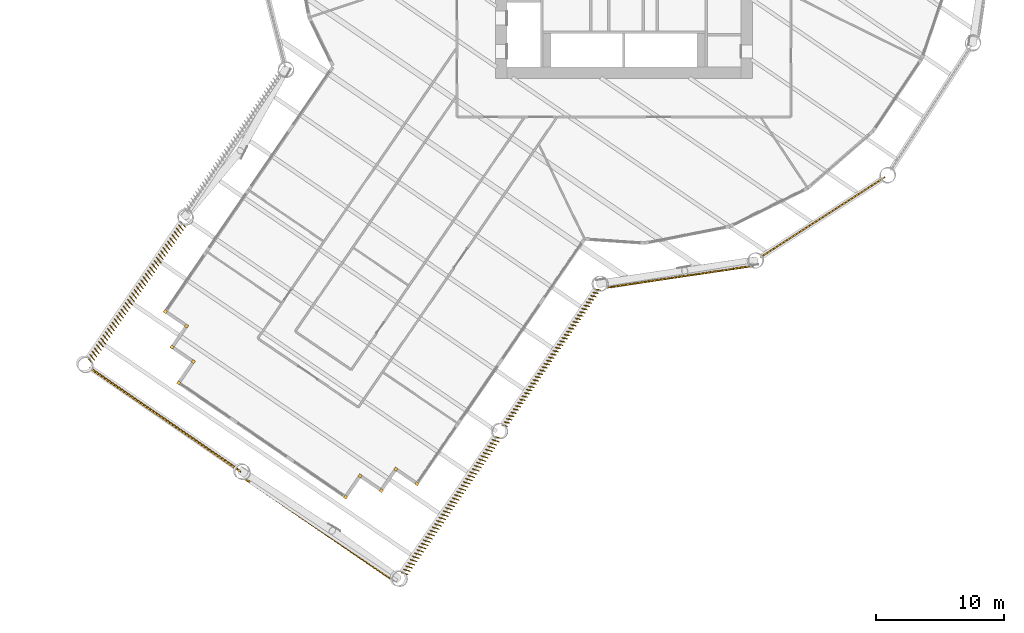
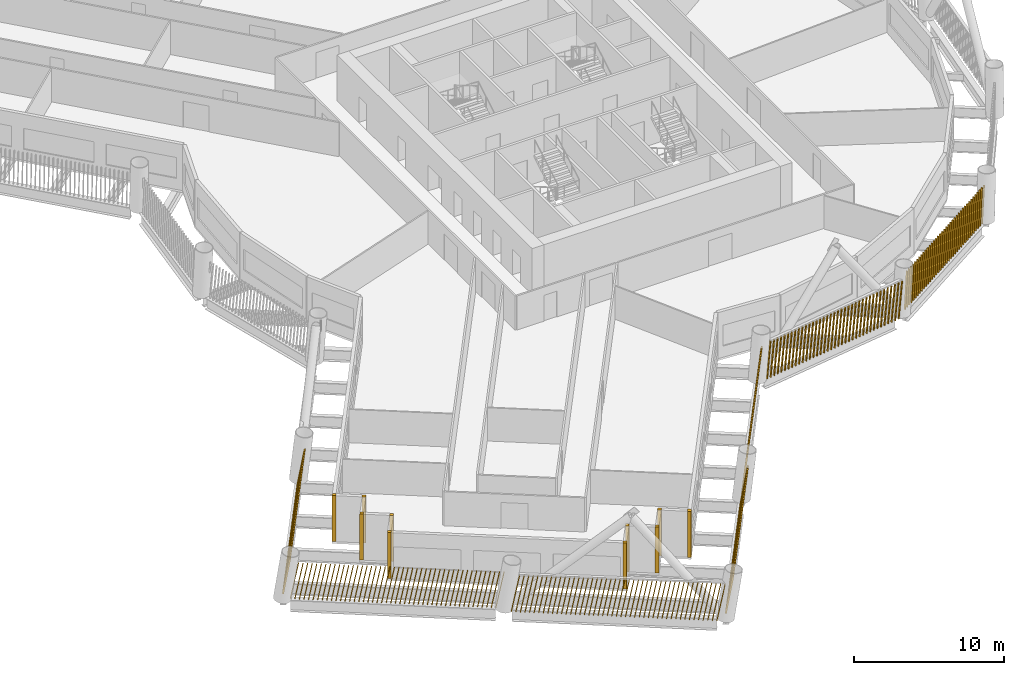
# One storey, part 18 of 22: 17 shading devices.
"""IFC4 building model written with IfcOpenShell, lengths in metres."""

from ifc_helpers import new_model, si_unit, direction, frame, frame_2d, origin, origin_2d, place, context, subcontext, project, spatial, rectangle, composite_profile, extrude, material, type_object, element, save


model = new_model("IFC4")

# Units and contexts
model_context = context("Model", 3, precision=1e-05, world=origin(), true_north=direction((0.0, 1.0)))
body_context = subcontext(model_context, "Body", "Model", "MODEL_VIEW")
ifc_project = project(units=[si_unit("LENGTHUNIT", "METRE"), si_unit("AREAUNIT", "SQUARE_METRE"), si_unit("VOLUMEUNIT", "CUBIC_METRE"), si_unit("PLANEANGLEUNIT", "RADIAN"), si_unit("MASSUNIT", "GRAM", prefix="KILO")], contexts=[model_context])

# Site, building, storey
site_placement = place(None, origin())
site = spatial("IfcSite", under=ifc_project, at=site_placement, CompositionType="ELEMENT")
building_placement = place(site_placement, origin())
building = spatial("IfcBuilding", under=site, at=building_placement, Name="Tarsis Ring Headquarters", CompositionType="ELEMENT")
storey_placement = place(building_placement, frame((0.0, 0.0, 55.60009765625)))
storey = spatial("IfcBuildingStorey", under=building, at=storey_placement, Name="L11", CompositionType="ELEMENT", Elevation=55.60009765625)

# Shading devices
ifc_material = material(Name="Terracotta baguette", Category="masonry")
shading_device_type_1 = type_object("IfcShadingDeviceType", Name="Terracotta baguette screen", PredefinedType="USERDEFINED", material=ifc_material)
shading_device_1_placement = place(storey_placement, frame((-34.47021484375, -24.14599609375, 0.0), z_axis=(0.0, 0.0, 1.0), x_axis=(-0.564959884953, -0.825121102028, 0.0)))
element("IfcShadingDevice", 1, at=shading_device_1_placement, inside=storey, type_object=shading_device_type_1, Name="Baguette screen L11-02", ObjectType="Terracotta baguette screen", PredefinedType="USERDEFINED", context=body_context, shape_type="SweptSolid", body=[
    extrude(composite_profile([rectangle(XDim=0.06005859375, YDim=0.1201171875, at=frame_2d((0.030029296875, 0.0))), rectangle(XDim=0.06005859375, YDim=0.1201171875, at=frame_2d((0.335693359375, 0.0))), rectangle(XDim=0.06005859375, YDim=0.1201171875, at=frame_2d((0.6416015625, 0.0))), rectangle(XDim=0.06005859375, YDim=0.1201171875, at=frame_2d((0.947265625, 0.0))), rectangle(XDim=0.06005859375, YDim=0.1201171875, at=frame_2d((1.253173828125, 0.0))), rectangle(XDim=0.06005859375, YDim=0.1201171875, at=frame_2d((1.558837890625, 0.0))), rectangle(XDim=0.06005859375, YDim=0.1201171875, at=frame_2d((1.864501953125, 0.0))), rectangle(XDim=0.06005859375, YDim=0.1201171875, at=frame_2d((2.17041015625, 0.0))), rectangle(XDim=0.06005859375, YDim=0.1201171875, at=frame_2d((2.47607421875, 0.0))), rectangle(XDim=0.06005859375, YDim=0.1201171875, at=frame_2d((2.781982421875, 0.0))), rectangle(XDim=0.06005859375, YDim=0.1201171875, at=frame_2d((3.087646484375, 0.0))), rectangle(XDim=0.06005859375, YDim=0.1201171875, at=frame_2d((3.393310546875, 0.0))), rectangle(XDim=0.06005859375, YDim=0.1201171875, at=frame_2d((3.69921875, 0.0))), rectangle(XDim=0.06005859375, YDim=0.1201171875, at=frame_2d((4.0048828125, 0.0))), rectangle(XDim=0.06005859375, YDim=0.1201171875, at=frame_2d((4.310791015625, 0.0))), rectangle(XDim=0.06005859375, YDim=0.1201171875, at=frame_2d((4.616455078125, 0.0))), rectangle(XDim=0.06005859375, YDim=0.1201171875, at=frame_2d((4.922119140625, 0.0))), rectangle(XDim=0.06005859375, YDim=0.1201171875, at=frame_2d((5.22802734375, 0.0))), rectangle(XDim=0.06005859375, YDim=0.1201171875, at=frame_2d((5.53369140625, 0.0))), rectangle(XDim=0.06005859375, YDim=0.1201171875, at=frame_2d((5.839599609375, 0.0))), rectangle(XDim=0.06005859375, YDim=0.1201171875, at=frame_2d((6.145263671875, 0.0))), rectangle(XDim=0.06005859375, YDim=0.1201171875, at=frame_2d((6.451171875, 0.0))), rectangle(XDim=0.06005859375, YDim=0.1201171875, at=frame_2d((6.7568359375, 0.0))), rectangle(XDim=0.06005859375, YDim=0.1201171875, at=frame_2d((7.0625, 0.0))), rectangle(XDim=0.06005859375, YDim=0.1201171875, at=frame_2d((7.368408203125, 0.0))), rectangle(XDim=0.06005859375, YDim=0.1201171875, at=frame_2d((7.674072265625, 0.0))), rectangle(XDim=0.06005859375, YDim=0.1201171875, at=frame_2d((7.97998046875, 0.0))), rectangle(XDim=0.06005859375, YDim=0.1201171875, at=frame_2d((8.28564453125, 0.0))), rectangle(XDim=0.06005859375, YDim=0.1201171875, at=frame_2d((8.59130859375, 0.0))), rectangle(XDim=0.06005859375, YDim=0.1201171875, at=frame_2d((8.897216796875, 0.0))), rectangle(XDim=0.06005859375, YDim=0.1201171875, at=frame_2d((9.202880859375, 0.0))), rectangle(XDim=0.06005859375, YDim=0.1201171875, at=frame_2d((9.5087890625, 0.0))), rectangle(XDim=0.06005859375, YDim=0.1201171875, at=frame_2d((9.814453125, 0.0))), rectangle(XDim=0.06005859375, YDim=0.1201171875, at=frame_2d((10.1201171875, 0.0))), rectangle(XDim=0.06005859375, YDim=0.1201171875, at=frame_2d((10.426025390625, 0.0))), rectangle(XDim=0.06005859375, YDim=0.1201171875, at=frame_2d((10.731689453125, 0.0))), rectangle(XDim=0.06005859375, YDim=0.1201171875, at=frame_2d((11.03759765625, 0.0))), rectangle(XDim=0.06005859375, YDim=0.1201171875, at=frame_2d((11.34326171875, 0.0))), rectangle(XDim=0.06005859375, YDim=0.1201171875, at=frame_2d((11.64892578125, 0.0))), rectangle(XDim=0.06005859375, YDim=0.1201171875, at=frame_2d((11.954833984375, 0.0))), rectangle(XDim=0.06005859375, YDim=0.1201171875, at=frame_2d((12.260498046875, 0.0))), rectangle(XDim=0.06005859375, YDim=0.1201171875, at=frame_2d((12.56640625, 0.0))), rectangle(XDim=0.06005859375, YDim=0.1201171875, at=frame_2d((12.8720703125, 0.0)))]), origin(), (0.050906202001, 0.160567619909, 0.985711214319), 2.9951171875),
])
shading_device_2_placement = place(storey_placement, frame((-41.62939453125, -35.487060546875, 0.0), z_axis=(0.0, 0.0, 1.0), x_axis=(0.82511853372, -0.564963555304, 0.0)))
element("IfcShadingDevice", 2, at=shading_device_2_placement, inside=storey, type_object=shading_device_type_1, Name="Baguette screen L11-03", ObjectType="Terracotta baguette screen", PredefinedType="USERDEFINED", context=body_context, shape_type="SweptSolid", body=[
    extrude(composite_profile([rectangle(XDim=0.06005859375, YDim=0.1201171875, at=frame_2d((0.030029296875, 0.0))), rectangle(XDim=0.06005859375, YDim=0.1201171875, at=frame_2d((0.33544921875, 0.0))), rectangle(XDim=0.06005859375, YDim=0.1201171875, at=frame_2d((0.640625, 0.0))), rectangle(XDim=0.06005859375, YDim=0.1201171875, at=frame_2d((0.946044921875, 0.0))), rectangle(XDim=0.06005859375, YDim=0.1201171875, at=frame_2d((1.25146484375, 0.0))), rectangle(XDim=0.06005859375, YDim=0.1201171875, at=frame_2d((1.556640625, 0.0))), rectangle(XDim=0.06005859375, YDim=0.1201171875, at=frame_2d((1.862060546875, 0.0))), rectangle(XDim=0.06005859375, YDim=0.1201171875, at=frame_2d((2.16748046875, 0.0))), rectangle(XDim=0.06005859375, YDim=0.1201171875, at=frame_2d((2.47265625, 0.0))), rectangle(XDim=0.06005859375, YDim=0.1201171875, at=frame_2d((2.778076171875, 0.0))), rectangle(XDim=0.06005859375, YDim=0.1201171875, at=frame_2d((3.08349609375, 0.0))), rectangle(XDim=0.06005859375, YDim=0.1201171875, at=frame_2d((3.388671875, 0.0))), rectangle(XDim=0.06005859375, YDim=0.1201171875, at=frame_2d((3.694091796875, 0.0))), rectangle(XDim=0.06005859375, YDim=0.1201171875, at=frame_2d((3.99951171875, 0.0))), rectangle(XDim=0.06005859375, YDim=0.1201171875, at=frame_2d((4.3046875, 0.0))), rectangle(XDim=0.06005859375, YDim=0.1201171875, at=frame_2d((4.610107421875, 0.0))), rectangle(XDim=0.06005859375, YDim=0.1201171875, at=frame_2d((4.91552734375, 0.0))), rectangle(XDim=0.06005859375, YDim=0.1201171875, at=frame_2d((5.220703125, 0.0))), rectangle(XDim=0.06005859375, YDim=0.1201171875, at=frame_2d((5.526123046875, 0.0))), rectangle(XDim=0.06005859375, YDim=0.1201171875, at=frame_2d((5.83154296875, 0.0))), rectangle(XDim=0.06005859375, YDim=0.1201171875, at=frame_2d((6.13671875, 0.0))), rectangle(XDim=0.06005859375, YDim=0.1201171875, at=frame_2d((6.442138671875, 0.0))), rectangle(XDim=0.06005859375, YDim=0.1201171875, at=frame_2d((6.74755859375, 0.0))), rectangle(XDim=0.06005859375, YDim=0.1201171875, at=frame_2d((7.052734375, 0.0))), rectangle(XDim=0.06005859375, YDim=0.1201171875, at=frame_2d((7.358154296875, 0.0))), rectangle(XDim=0.06005859375, YDim=0.1201171875, at=frame_2d((7.66357421875, 0.0))), rectangle(XDim=0.06005859375, YDim=0.1201171875, at=frame_2d((7.96875, 0.0))), rectangle(XDim=0.06005859375, YDim=0.1201171875, at=frame_2d((8.274169921875, 0.0))), rectangle(XDim=0.06005859375, YDim=0.1201171875, at=frame_2d((8.57958984375, 0.0))), rectangle(XDim=0.06005859375, YDim=0.1201171875, at=frame_2d((8.884765625, 0.0))), rectangle(XDim=0.06005859375, YDim=0.1201171875, at=frame_2d((9.190185546875, 0.0))), rectangle(XDim=0.06005859375, YDim=0.1201171875, at=frame_2d((9.49560546875, 0.0))), rectangle(XDim=0.06005859375, YDim=0.1201171875, at=frame_2d((9.80078125, 0.0))), rectangle(XDim=0.06005859375, YDim=0.1201171875, at=frame_2d((10.106201171875, 0.0))), rectangle(XDim=0.06005859375, YDim=0.1201171875, at=frame_2d((10.41162109375, 0.0))), rectangle(XDim=0.06005859375, YDim=0.1201171875, at=frame_2d((10.716796875, 0.0))), rectangle(XDim=0.06005859375, YDim=0.1201171875, at=frame_2d((11.022216796875, 0.0))), rectangle(XDim=0.06005859375, YDim=0.1201171875, at=frame_2d((11.32763671875, 0.0))), rectangle(XDim=0.06005859375, YDim=0.1201171875, at=frame_2d((11.6328125, 0.0))), rectangle(XDim=0.06005859375, YDim=0.1201171875, at=frame_2d((11.938232421875, 0.0))), rectangle(XDim=0.06005859375, YDim=0.1201171875, at=frame_2d((12.24365234375, 0.0))), rectangle(XDim=0.06005859375, YDim=0.1201171875, at=frame_2d((12.548828125, 0.0))), rectangle(XDim=0.06005859375, YDim=0.1201171875, at=frame_2d((12.854248046875, 0.0))), rectangle(XDim=0.06005859375, YDim=0.1201171875, at=frame_2d((13.15966796875, 0.0))), rectangle(XDim=0.06005859375, YDim=0.1201171875, at=frame_2d((13.46484375, 0.0))), rectangle(XDim=0.06005859375, YDim=0.1201171875, at=frame_2d((13.770263671875, 0.0)))]), origin(), (0.18414920172, -0.024827562857, 0.98258468522), 3.004638671875),
])
shading_device_3_placement = place(storey_placement, frame((-29.629638671875, -44.157958984375, 0.0), z_axis=(0.0, 0.0, 1.0), x_axis=(0.825121627598, -0.564953560372, 0.0)))
element("IfcShadingDevice", 3, at=shading_device_3_placement, inside=storey, type_object=shading_device_type_1, Name="Baguette screen L11-04", ObjectType="Terracotta baguette screen", PredefinedType="USERDEFINED", context=body_context, shape_type="SweptSolid", body=[
    extrude(composite_profile([rectangle(XDim=0.06005859375, YDim=0.1201171875, at=frame_2d((0.030029296875, 0.0))), rectangle(XDim=0.06005859375, YDim=0.1201171875, at=frame_2d((0.33544921875, 0.0))), rectangle(XDim=0.06005859375, YDim=0.1201171875, at=frame_2d((0.640625, 0.0))), rectangle(XDim=0.06005859375, YDim=0.1201171875, at=frame_2d((0.946044921875, 0.0))), rectangle(XDim=0.06005859375, YDim=0.1201171875, at=frame_2d((1.25146484375, 0.0))), rectangle(XDim=0.06005859375, YDim=0.1201171875, at=frame_2d((1.556640625, 0.0))), rectangle(XDim=0.06005859375, YDim=0.1201171875, at=frame_2d((1.862060546875, 0.0))), rectangle(XDim=0.06005859375, YDim=0.1201171875, at=frame_2d((2.16748046875, 0.0))), rectangle(XDim=0.06005859375, YDim=0.1201171875, at=frame_2d((2.47265625, 0.0))), rectangle(XDim=0.06005859375, YDim=0.1201171875, at=frame_2d((2.778076171875, 0.0))), rectangle(XDim=0.06005859375, YDim=0.1201171875, at=frame_2d((3.08349609375, 0.0))), rectangle(XDim=0.06005859375, YDim=0.1201171875, at=frame_2d((3.388671875, 0.0))), rectangle(XDim=0.06005859375, YDim=0.1201171875, at=frame_2d((3.694091796875, 0.0))), rectangle(XDim=0.06005859375, YDim=0.1201171875, at=frame_2d((3.99951171875, 0.0))), rectangle(XDim=0.06005859375, YDim=0.1201171875, at=frame_2d((4.3046875, 0.0))), rectangle(XDim=0.06005859375, YDim=0.1201171875, at=frame_2d((4.610107421875, 0.0))), rectangle(XDim=0.06005859375, YDim=0.1201171875, at=frame_2d((4.91552734375, 0.0))), rectangle(XDim=0.06005859375, YDim=0.1201171875, at=frame_2d((5.220703125, 0.0))), rectangle(XDim=0.06005859375, YDim=0.1201171875, at=frame_2d((5.526123046875, 0.0))), rectangle(XDim=0.06005859375, YDim=0.1201171875, at=frame_2d((5.83154296875, 0.0))), rectangle(XDim=0.06005859375, YDim=0.1201171875, at=frame_2d((6.13671875, 0.0))), rectangle(XDim=0.06005859375, YDim=0.1201171875, at=frame_2d((6.442138671875, 0.0))), rectangle(XDim=0.06005859375, YDim=0.1201171875, at=frame_2d((6.74755859375, 0.0))), rectangle(XDim=0.06005859375, YDim=0.1201171875, at=frame_2d((7.052734375, 0.0))), rectangle(XDim=0.06005859375, YDim=0.1201171875, at=frame_2d((7.358154296875, 0.0))), rectangle(XDim=0.06005859375, YDim=0.1201171875, at=frame_2d((7.66357421875, 0.0))), rectangle(XDim=0.06005859375, YDim=0.1201171875, at=frame_2d((7.96875, 0.0))), rectangle(XDim=0.06005859375, YDim=0.1201171875, at=frame_2d((8.274169921875, 0.0))), rectangle(XDim=0.06005859375, YDim=0.1201171875, at=frame_2d((8.57958984375, 0.0))), rectangle(XDim=0.06005859375, YDim=0.1201171875, at=frame_2d((8.884765625, 0.0))), rectangle(XDim=0.06005859375, YDim=0.1201171875, at=frame_2d((9.190185546875, 0.0))), rectangle(XDim=0.06005859375, YDim=0.1201171875, at=frame_2d((9.49560546875, 0.0))), rectangle(XDim=0.06005859375, YDim=0.1201171875, at=frame_2d((9.80078125, 0.0))), rectangle(XDim=0.06005859375, YDim=0.1201171875, at=frame_2d((10.106201171875, 0.0))), rectangle(XDim=0.06005859375, YDim=0.1201171875, at=frame_2d((10.41162109375, 0.0))), rectangle(XDim=0.06005859375, YDim=0.1201171875, at=frame_2d((10.716796875, 0.0))), rectangle(XDim=0.06005859375, YDim=0.1201171875, at=frame_2d((11.022216796875, 0.0))), rectangle(XDim=0.06005859375, YDim=0.1201171875, at=frame_2d((11.32763671875, 0.0))), rectangle(XDim=0.06005859375, YDim=0.1201171875, at=frame_2d((11.6328125, 0.0))), rectangle(XDim=0.06005859375, YDim=0.1201171875, at=frame_2d((11.938232421875, 0.0))), rectangle(XDim=0.06005859375, YDim=0.1201171875, at=frame_2d((12.24365234375, 0.0))), rectangle(XDim=0.06005859375, YDim=0.1201171875, at=frame_2d((12.548828125, 0.0))), rectangle(XDim=0.06005859375, YDim=0.1201171875, at=frame_2d((12.854248046875, 0.0))), rectangle(XDim=0.06005859375, YDim=0.1201171875, at=frame_2d((13.15966796875, 0.0))), rectangle(XDim=0.06005859375, YDim=0.1201171875, at=frame_2d((13.46484375, 0.0))), rectangle(XDim=0.06005859375, YDim=0.1201171875, at=frame_2d((13.770263671875, 0.0)))]), origin(), (0.185141144662, 0.026750908002, 0.982347772163), 3.00537109375),
])
shading_device_4_placement = place(storey_placement, frame((-17.336181640625, -51.514892578125, 0.0), z_axis=(0.0, 0.0, 1.0), x_axis=(0.564970575435, 0.825117792874, 0.0)))
element("IfcShadingDevice", 4, at=shading_device_4_placement, inside=storey, type_object=shading_device_type_1, Name="Baguette screen L11-05", ObjectType="Terracotta baguette screen", PredefinedType="USERDEFINED", context=body_context, shape_type="SweptSolid", body=[
    extrude(composite_profile([rectangle(XDim=0.06005859375, YDim=0.1201171875, at=frame_2d((0.030029296875, 0.0))), rectangle(XDim=0.06005859375, YDim=0.1201171875, at=frame_2d((0.335693359375, 0.0))), rectangle(XDim=0.06005859375, YDim=0.1201171875, at=frame_2d((0.6416015625, 0.0))), rectangle(XDim=0.06005859375, YDim=0.1201171875, at=frame_2d((0.947265625, 0.0))), rectangle(XDim=0.06005859375, YDim=0.1201171875, at=frame_2d((1.253173828125, 0.0))), rectangle(XDim=0.06005859375, YDim=0.1201171875, at=frame_2d((1.558837890625, 0.0))), rectangle(XDim=0.06005859375, YDim=0.1201171875, at=frame_2d((1.864501953125, 0.0))), rectangle(XDim=0.06005859375, YDim=0.1201171875, at=frame_2d((2.17041015625, 0.0))), rectangle(XDim=0.06005859375, YDim=0.1201171875, at=frame_2d((2.47607421875, 0.0))), rectangle(XDim=0.06005859375, YDim=0.1201171875, at=frame_2d((2.781982421875, 0.0))), rectangle(XDim=0.06005859375, YDim=0.1201171875, at=frame_2d((3.087646484375, 0.0))), rectangle(XDim=0.06005859375, YDim=0.1201171875, at=frame_2d((3.393310546875, 0.0))), rectangle(XDim=0.06005859375, YDim=0.1201171875, at=frame_2d((3.69921875, 0.0))), rectangle(XDim=0.06005859375, YDim=0.1201171875, at=frame_2d((4.0048828125, 0.0))), rectangle(XDim=0.06005859375, YDim=0.1201171875, at=frame_2d((4.310791015625, 0.0))), rectangle(XDim=0.06005859375, YDim=0.1201171875, at=frame_2d((4.616455078125, 0.0))), rectangle(XDim=0.06005859375, YDim=0.1201171875, at=frame_2d((4.922119140625, 0.0))), rectangle(XDim=0.06005859375, YDim=0.1201171875, at=frame_2d((5.22802734375, 0.0))), rectangle(XDim=0.06005859375, YDim=0.1201171875, at=frame_2d((5.53369140625, 0.0))), rectangle(XDim=0.06005859375, YDim=0.1201171875, at=frame_2d((5.839599609375, 0.0))), rectangle(XDim=0.06005859375, YDim=0.1201171875, at=frame_2d((6.145263671875, 0.0))), rectangle(XDim=0.06005859375, YDim=0.1201171875, at=frame_2d((6.451171875, 0.0))), rectangle(XDim=0.06005859375, YDim=0.1201171875, at=frame_2d((6.7568359375, 0.0))), rectangle(XDim=0.06005859375, YDim=0.1201171875, at=frame_2d((7.0625, 0.0))), rectangle(XDim=0.06005859375, YDim=0.1201171875, at=frame_2d((7.368408203125, 0.0))), rectangle(XDim=0.06005859375, YDim=0.1201171875, at=frame_2d((7.674072265625, 0.0))), rectangle(XDim=0.06005859375, YDim=0.1201171875, at=frame_2d((7.97998046875, 0.0))), rectangle(XDim=0.06005859375, YDim=0.1201171875, at=frame_2d((8.28564453125, 0.0))), rectangle(XDim=0.06005859375, YDim=0.1201171875, at=frame_2d((8.59130859375, 0.0))), rectangle(XDim=0.06005859375, YDim=0.1201171875, at=frame_2d((8.897216796875, 0.0))), rectangle(XDim=0.06005859375, YDim=0.1201171875, at=frame_2d((9.202880859375, 0.0))), rectangle(XDim=0.06005859375, YDim=0.1201171875, at=frame_2d((9.5087890625, 0.0))), rectangle(XDim=0.06005859375, YDim=0.1201171875, at=frame_2d((9.814453125, 0.0))), rectangle(XDim=0.06005859375, YDim=0.1201171875, at=frame_2d((10.1201171875, 0.0))), rectangle(XDim=0.06005859375, YDim=0.1201171875, at=frame_2d((10.426025390625, 0.0))), rectangle(XDim=0.06005859375, YDim=0.1201171875, at=frame_2d((10.731689453125, 0.0))), rectangle(XDim=0.06005859375, YDim=0.1201171875, at=frame_2d((11.03759765625, 0.0))), rectangle(XDim=0.06005859375, YDim=0.1201171875, at=frame_2d((11.34326171875, 0.0))), rectangle(XDim=0.06005859375, YDim=0.1201171875, at=frame_2d((11.64892578125, 0.0))), rectangle(XDim=0.06005859375, YDim=0.1201171875, at=frame_2d((11.954833984375, 0.0))), rectangle(XDim=0.06005859375, YDim=0.1201171875, at=frame_2d((12.260498046875, 0.0))), rectangle(XDim=0.06005859375, YDim=0.1201171875, at=frame_2d((12.56640625, 0.0))), rectangle(XDim=0.06005859375, YDim=0.1201171875, at=frame_2d((12.8720703125, 0.0)))]), origin(), (0.052583739069, -0.160026657637, 0.985711123621), 2.9951171875),
])
shading_device_5_placement = place(storey_placement, frame((-9.481689453125, -40.0439453125, 0.0), z_axis=(0.0, 0.0, 1.0), x_axis=(0.564970575435, 0.825117792874, 0.0)))
element("IfcShadingDevice", 5, at=shading_device_5_placement, inside=storey, type_object=shading_device_type_1, Name="Baguette screen L11-06", ObjectType="Terracotta baguette screen", PredefinedType="USERDEFINED", context=body_context, shape_type="SweptSolid", body=[
    extrude(composite_profile([rectangle(XDim=0.06005859375, YDim=0.1201171875, at=frame_2d((0.030029296875, 0.0))), rectangle(XDim=0.06005859375, YDim=0.1201171875, at=frame_2d((0.335693359375, 0.0))), rectangle(XDim=0.06005859375, YDim=0.1201171875, at=frame_2d((0.6416015625, 0.0))), rectangle(XDim=0.06005859375, YDim=0.1201171875, at=frame_2d((0.947265625, 0.0))), rectangle(XDim=0.06005859375, YDim=0.1201171875, at=frame_2d((1.253173828125, 0.0))), rectangle(XDim=0.06005859375, YDim=0.1201171875, at=frame_2d((1.558837890625, 0.0))), rectangle(XDim=0.06005859375, YDim=0.1201171875, at=frame_2d((1.864501953125, 0.0))), rectangle(XDim=0.06005859375, YDim=0.1201171875, at=frame_2d((2.17041015625, 0.0))), rectangle(XDim=0.06005859375, YDim=0.1201171875, at=frame_2d((2.47607421875, 0.0))), rectangle(XDim=0.06005859375, YDim=0.1201171875, at=frame_2d((2.781982421875, 0.0))), rectangle(XDim=0.06005859375, YDim=0.1201171875, at=frame_2d((3.087646484375, 0.0))), rectangle(XDim=0.06005859375, YDim=0.1201171875, at=frame_2d((3.393310546875, 0.0))), rectangle(XDim=0.06005859375, YDim=0.1201171875, at=frame_2d((3.69921875, 0.0))), rectangle(XDim=0.06005859375, YDim=0.1201171875, at=frame_2d((4.0048828125, 0.0))), rectangle(XDim=0.06005859375, YDim=0.1201171875, at=frame_2d((4.310791015625, 0.0))), rectangle(XDim=0.06005859375, YDim=0.1201171875, at=frame_2d((4.616455078125, 0.0))), rectangle(XDim=0.06005859375, YDim=0.1201171875, at=frame_2d((4.922119140625, 0.0))), rectangle(XDim=0.06005859375, YDim=0.1201171875, at=frame_2d((5.22802734375, 0.0))), rectangle(XDim=0.06005859375, YDim=0.1201171875, at=frame_2d((5.53369140625, 0.0))), rectangle(XDim=0.06005859375, YDim=0.1201171875, at=frame_2d((5.839599609375, 0.0))), rectangle(XDim=0.06005859375, YDim=0.1201171875, at=frame_2d((6.145263671875, 0.0))), rectangle(XDim=0.06005859375, YDim=0.1201171875, at=frame_2d((6.451171875, 0.0))), rectangle(XDim=0.06005859375, YDim=0.1201171875, at=frame_2d((6.7568359375, 0.0))), rectangle(XDim=0.06005859375, YDim=0.1201171875, at=frame_2d((7.0625, 0.0))), rectangle(XDim=0.06005859375, YDim=0.1201171875, at=frame_2d((7.368408203125, 0.0))), rectangle(XDim=0.06005859375, YDim=0.1201171875, at=frame_2d((7.674072265625, 0.0))), rectangle(XDim=0.06005859375, YDim=0.1201171875, at=frame_2d((7.97998046875, 0.0))), rectangle(XDim=0.06005859375, YDim=0.1201171875, at=frame_2d((8.28564453125, 0.0))), rectangle(XDim=0.06005859375, YDim=0.1201171875, at=frame_2d((8.59130859375, 0.0))), rectangle(XDim=0.06005859375, YDim=0.1201171875, at=frame_2d((8.897216796875, 0.0))), rectangle(XDim=0.06005859375, YDim=0.1201171875, at=frame_2d((9.202880859375, 0.0))), rectangle(XDim=0.06005859375, YDim=0.1201171875, at=frame_2d((9.5087890625, 0.0))), rectangle(XDim=0.06005859375, YDim=0.1201171875, at=frame_2d((9.814453125, 0.0))), rectangle(XDim=0.06005859375, YDim=0.1201171875, at=frame_2d((10.1201171875, 0.0))), rectangle(XDim=0.06005859375, YDim=0.1201171875, at=frame_2d((10.426025390625, 0.0))), rectangle(XDim=0.06005859375, YDim=0.1201171875, at=frame_2d((10.731689453125, 0.0))), rectangle(XDim=0.06005859375, YDim=0.1201171875, at=frame_2d((11.03759765625, 0.0))), rectangle(XDim=0.06005859375, YDim=0.1201171875, at=frame_2d((11.34326171875, 0.0))), rectangle(XDim=0.06005859375, YDim=0.1201171875, at=frame_2d((11.64892578125, 0.0))), rectangle(XDim=0.06005859375, YDim=0.1201171875, at=frame_2d((11.954833984375, 0.0))), rectangle(XDim=0.06005859375, YDim=0.1201171875, at=frame_2d((12.260498046875, 0.0))), rectangle(XDim=0.06005859375, YDim=0.1201171875, at=frame_2d((12.56640625, 0.0))), rectangle(XDim=0.06005859375, YDim=0.1201171875, at=frame_2d((12.8720703125, 0.0)))]), origin(), (0.052678359108, -0.112165333083, 0.992292259637), 2.975341796875),
])
shading_device_6_placement = place(storey_placement, frame((-1.360595703125, -29.28369140625, 0.0), z_axis=(0.0, 0.0, 1.0), x_axis=(0.989278350515, 0.146109603907, 0.0)))
element("IfcShadingDevice", 6, at=shading_device_6_placement, inside=storey, type_object=shading_device_type_1, Name="Baguette screen L11-07", ObjectType="Terracotta baguette screen", PredefinedType="USERDEFINED", context=body_context, shape_type="SweptSolid", body=[
    extrude(composite_profile([rectangle(XDim=0.06005859375, YDim=0.1201171875, at=frame_2d((0.030029296875, 0.0))), rectangle(XDim=0.06005859375, YDim=0.1201171875, at=frame_2d((0.33251953125, 0.0))), rectangle(XDim=0.06005859375, YDim=0.1201171875, at=frame_2d((0.634765625, 0.0))), rectangle(XDim=0.06005859375, YDim=0.1201171875, at=frame_2d((0.937255859375, 0.0))), rectangle(XDim=0.06005859375, YDim=0.1201171875, at=frame_2d((1.239501953125, 0.0))), rectangle(XDim=0.06005859375, YDim=0.1201171875, at=frame_2d((1.5419921875, 0.0))), rectangle(XDim=0.06005859375, YDim=0.1201171875, at=frame_2d((1.844482421875, 0.0))), rectangle(XDim=0.06005859375, YDim=0.1201171875, at=frame_2d((2.146728515625, 0.0))), rectangle(XDim=0.06005859375, YDim=0.1201171875, at=frame_2d((2.44921875, 0.0))), rectangle(XDim=0.06005859375, YDim=0.1201171875, at=frame_2d((2.751708984375, 0.0))), rectangle(XDim=0.06005859375, YDim=0.1201171875, at=frame_2d((3.053955078125, 0.0))), rectangle(XDim=0.06005859375, YDim=0.1201171875, at=frame_2d((3.3564453125, 0.0))), rectangle(XDim=0.06005859375, YDim=0.1201171875, at=frame_2d((3.65869140625, 0.0))), rectangle(XDim=0.06005859375, YDim=0.1201171875, at=frame_2d((3.961181640625, 0.0))), rectangle(XDim=0.06005859375, YDim=0.1201171875, at=frame_2d((4.263671875, 0.0))), rectangle(XDim=0.06005859375, YDim=0.1201171875, at=frame_2d((4.56591796875, 0.0))), rectangle(XDim=0.06005859375, YDim=0.1201171875, at=frame_2d((4.868408203125, 0.0))), rectangle(XDim=0.06005859375, YDim=0.1201171875, at=frame_2d((5.1708984375, 0.0))), rectangle(XDim=0.06005859375, YDim=0.1201171875, at=frame_2d((5.47314453125, 0.0))), rectangle(XDim=0.06005859375, YDim=0.1201171875, at=frame_2d((5.775634765625, 0.0))), rectangle(XDim=0.06005859375, YDim=0.1201171875, at=frame_2d((6.077880859375, 0.0))), rectangle(XDim=0.06005859375, YDim=0.1201171875, at=frame_2d((6.38037109375, 0.0))), rectangle(XDim=0.06005859375, YDim=0.1201171875, at=frame_2d((6.682861328125, 0.0))), rectangle(XDim=0.06005859375, YDim=0.1201171875, at=frame_2d((6.985107421875, 0.0))), rectangle(XDim=0.06005859375, YDim=0.1201171875, at=frame_2d((7.28759765625, 0.0))), rectangle(XDim=0.06005859375, YDim=0.1201171875, at=frame_2d((7.590087890625, 0.0))), rectangle(XDim=0.06005859375, YDim=0.1201171875, at=frame_2d((7.892333984375, 0.0))), rectangle(XDim=0.06005859375, YDim=0.1201171875, at=frame_2d((8.19482421875, 0.0))), rectangle(XDim=0.06005859375, YDim=0.1201171875, at=frame_2d((8.4970703125, 0.0))), rectangle(XDim=0.06005859375, YDim=0.1201171875, at=frame_2d((8.799560546875, 0.0))), rectangle(XDim=0.06005859375, YDim=0.1201171875, at=frame_2d((9.10205078125, 0.0))), rectangle(XDim=0.06005859375, YDim=0.1201171875, at=frame_2d((9.404296875, 0.0))), rectangle(XDim=0.06005859375, YDim=0.1201171875, at=frame_2d((9.706787109375, 0.0))), rectangle(XDim=0.06005859375, YDim=0.1201171875, at=frame_2d((10.00927734375, 0.0))), rectangle(XDim=0.06005859375, YDim=0.1201171875, at=frame_2d((10.3115234375, 0.0))), rectangle(XDim=0.06005859375, YDim=0.1201171875, at=frame_2d((10.614013671875, 0.0))), rectangle(XDim=0.06005859375, YDim=0.1201171875, at=frame_2d((10.916259765625, 0.0))), rectangle(XDim=0.06005859375, YDim=0.1201171875, at=frame_2d((11.21875, 0.0)))]), origin(), (0.101519643783, 0.000531228397, 0.994833392947), 2.9677734375),
])
shading_device_7_placement = place(storey_placement, frame((10.6279296875, -26.925537109375, 0.0), z_axis=(0.0, 0.0, 1.0), x_axis=(0.841106890939, 0.540879001628, 0.0)))
element("IfcShadingDevice", 7, at=shading_device_7_placement, inside=storey, type_object=shading_device_type_1, Name="Baguette screen L11-08", ObjectType="Terracotta baguette screen", PredefinedType="USERDEFINED", context=body_context, shape_type="SweptSolid", body=[
    extrude(composite_profile([rectangle(XDim=0.06005859375, YDim=0.1201171875, at=frame_2d((0.030029296875, 0.0))), rectangle(XDim=0.06005859375, YDim=0.1201171875, at=frame_2d((0.33251953125, 0.0))), rectangle(XDim=0.06005859375, YDim=0.1201171875, at=frame_2d((0.634765625, 0.0))), rectangle(XDim=0.06005859375, YDim=0.1201171875, at=frame_2d((0.937255859375, 0.0))), rectangle(XDim=0.06005859375, YDim=0.1201171875, at=frame_2d((1.239501953125, 0.0))), rectangle(XDim=0.06005859375, YDim=0.1201171875, at=frame_2d((1.5419921875, 0.0))), rectangle(XDim=0.06005859375, YDim=0.1201171875, at=frame_2d((1.844482421875, 0.0))), rectangle(XDim=0.06005859375, YDim=0.1201171875, at=frame_2d((2.146728515625, 0.0))), rectangle(XDim=0.06005859375, YDim=0.1201171875, at=frame_2d((2.44921875, 0.0))), rectangle(XDim=0.06005859375, YDim=0.1201171875, at=frame_2d((2.751708984375, 0.0))), rectangle(XDim=0.06005859375, YDim=0.1201171875, at=frame_2d((3.053955078125, 0.0))), rectangle(XDim=0.06005859375, YDim=0.1201171875, at=frame_2d((3.3564453125, 0.0))), rectangle(XDim=0.06005859375, YDim=0.1201171875, at=frame_2d((3.65869140625, 0.0))), rectangle(XDim=0.06005859375, YDim=0.1201171875, at=frame_2d((3.961181640625, 0.0))), rectangle(XDim=0.06005859375, YDim=0.1201171875, at=frame_2d((4.263671875, 0.0))), rectangle(XDim=0.06005859375, YDim=0.1201171875, at=frame_2d((4.56591796875, 0.0))), rectangle(XDim=0.06005859375, YDim=0.1201171875, at=frame_2d((4.868408203125, 0.0))), rectangle(XDim=0.06005859375, YDim=0.1201171875, at=frame_2d((5.1708984375, 0.0))), rectangle(XDim=0.06005859375, YDim=0.1201171875, at=frame_2d((5.47314453125, 0.0))), rectangle(XDim=0.06005859375, YDim=0.1201171875, at=frame_2d((5.775634765625, 0.0))), rectangle(XDim=0.06005859375, YDim=0.1201171875, at=frame_2d((6.077880859375, 0.0))), rectangle(XDim=0.06005859375, YDim=0.1201171875, at=frame_2d((6.38037109375, 0.0))), rectangle(XDim=0.06005859375, YDim=0.1201171875, at=frame_2d((6.682861328125, 0.0))), rectangle(XDim=0.06005859375, YDim=0.1201171875, at=frame_2d((6.985107421875, 0.0))), rectangle(XDim=0.06005859375, YDim=0.1201171875, at=frame_2d((7.28759765625, 0.0))), rectangle(XDim=0.06005859375, YDim=0.1201171875, at=frame_2d((7.590087890625, 0.0))), rectangle(XDim=0.06005859375, YDim=0.1201171875, at=frame_2d((7.892333984375, 0.0))), rectangle(XDim=0.06005859375, YDim=0.1201171875, at=frame_2d((8.19482421875, 0.0))), rectangle(XDim=0.06005859375, YDim=0.1201171875, at=frame_2d((8.4970703125, 0.0))), rectangle(XDim=0.06005859375, YDim=0.1201171875, at=frame_2d((8.799560546875, 0.0))), rectangle(XDim=0.06005859375, YDim=0.1201171875, at=frame_2d((9.10205078125, 0.0))), rectangle(XDim=0.06005859375, YDim=0.1201171875, at=frame_2d((9.404296875, 0.0))), rectangle(XDim=0.06005859375, YDim=0.1201171875, at=frame_2d((9.706787109375, 0.0))), rectangle(XDim=0.06005859375, YDim=0.1201171875, at=frame_2d((10.00927734375, 0.0))), rectangle(XDim=0.06005859375, YDim=0.1201171875, at=frame_2d((10.3115234375, 0.0))), rectangle(XDim=0.06005859375, YDim=0.1201171875, at=frame_2d((10.614013671875, 0.0))), rectangle(XDim=0.06005859375, YDim=0.1201171875, at=frame_2d((10.916259765625, 0.0))), rectangle(XDim=0.06005859375, YDim=0.1201171875, at=frame_2d((11.21875, 0.0)))]), origin(), (0.100209415363, 0.000525291418, 0.994966229146), 2.96728515625),
])
shading_device_type_2 = type_object("IfcShadingDeviceType", Name="Terracotta corner baguette 250x250", PredefinedType="USERDEFINED", material=ifc_material)
for number, where, z_axis, x_axis, name in (
    (8, (-35.716064453125, -31.14306640625, 0.0), (0.0, 0.0, 1.0), (-0.564966989024, -0.825113508139, 0.0), "Corner baguette L11-07"),
    (9, (-34.06591796875, -32.27294921875, 0.0), (0.0, 0.0, 1.0), (0.825113498278, -0.564967003425, 0.0), "Corner baguette L11-08"),
    (10, (-35.19580078125, -33.92333984375, 0.0), (0.0, 0.0, 1.0), (-0.56496723384, -0.82511334051, 0.0), "Corner baguette L11-09"),
    (11, (-33.545654296875, -35.05322265625, 0.0), (0.0, 0.0, 1.0), (0.825113271486, -0.564967334647, 0.0), "Corner baguette L11-10"),
    (12, (-34.675537109375, -36.703369140625, 0.0), (0.0, 0.0, 1.0), (-0.564967003425, -0.825113498278, 0.0), "Corner baguette L11-11"),
    (13, (-21.679931640625, -45.6015625, 0.0), (0.0, 0.0, 1.0), (0.82511352786, -0.564966960222, 0.0), "Corner baguette L11-12"),
    (14, (-20.550048828125, -43.951416015625, 0.0), (0.0, 0.0, 1.0), (0.56496723384, 0.82511334051, 0.0), "Corner baguette L11-13"),
    (15, (-18.89990234375, -45.081298828125, 0.0), (0.0, 0.0, 1.0), (0.825113498278, -0.564967003425, 0.0), "Corner baguette L11-14"),
    (16, (-17.769775390625, -43.43115234375, 0.0), (0.0, 0.0, 1.0), (0.564967003425, 0.825113498278, 0.0), "Corner baguette L11-15"),
    (17, (-16.11962890625, -44.56103515625, 0.0), (0.0, 0.0, 1.0), (0.825113498278, -0.564967003425, 0.0), "Corner baguette L11-16"),
):
    element("IfcShadingDevice", number, at=place(storey_placement, frame(where, z_axis=z_axis, x_axis=x_axis)), inside=storey, type_object=shading_device_type_2, Name=name, ObjectType="Terracotta corner baguette", PredefinedType="USERDEFINED", context=body_context, shape_type="SweptSolid", body=[
        extrude(rectangle(XDim=0.25, YDim=0.25, at=origin_2d()), origin(), (0.0, 0.0, 1.0), 3.739990234375),
    ])

save(model, "model.ifc")
